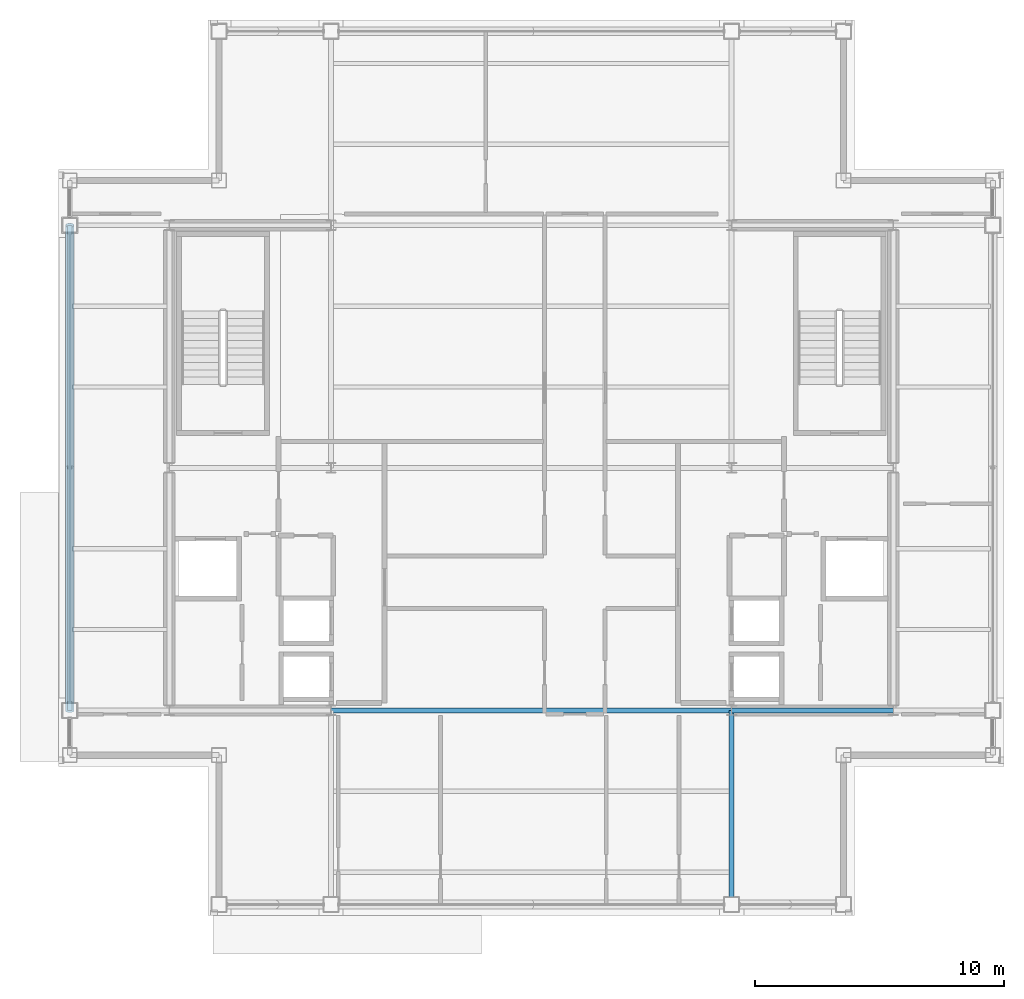
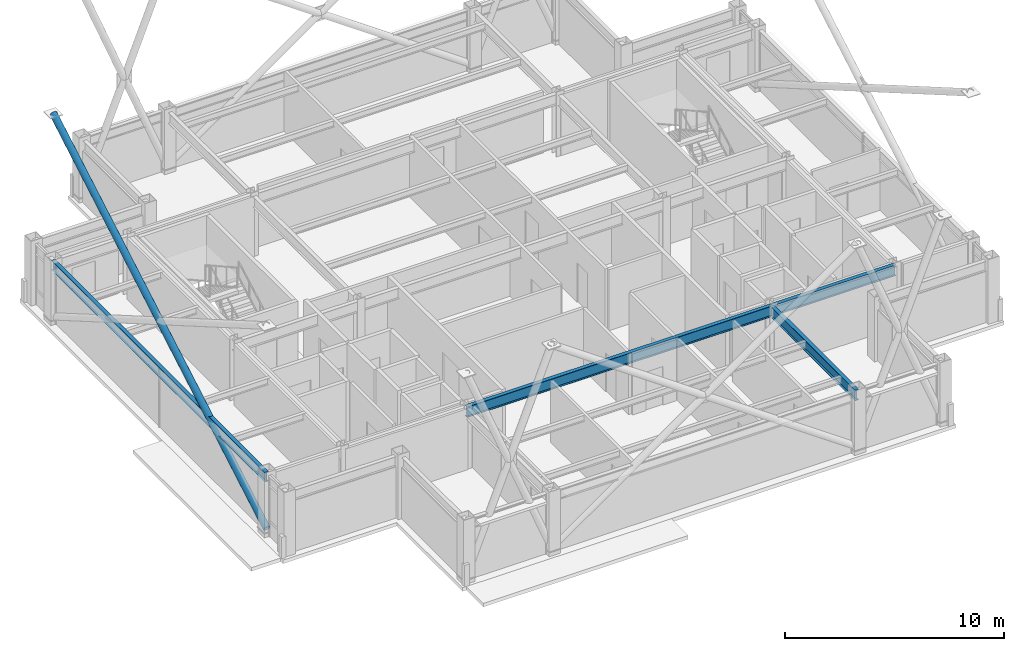
# One storey, part 7 of 24: 4 beams, 1 member.
"""IFC4 building model written with IfcOpenShell, lengths in metres."""

from ifc_helpers import new_model, si_unit, direction, frame, origin, origin_2d, place, context, subcontext, project, spatial, hollow_circle, i_section, extrude, material, material_profile, profile_set, type_object, element, save


model = new_model("IFC4")

# Units and contexts
model_context = context("Model", 3, precision=1e-05, world=origin(), true_north=direction((0.0, 1.0)))
body_context = subcontext(model_context, "Body", "Model", "MODEL_VIEW")
ifc_project = project(units=[si_unit("LENGTHUNIT", "METRE"), si_unit("AREAUNIT", "SQUARE_METRE"), si_unit("VOLUMEUNIT", "CUBIC_METRE"), si_unit("PLANEANGLEUNIT", "RADIAN"), si_unit("MASSUNIT", "GRAM", prefix="KILO")], contexts=[model_context])

# Site, building, storey
site_placement = place(None, origin())
site = spatial("IfcSite", under=ifc_project, at=site_placement, CompositionType="ELEMENT")
building_placement = place(site_placement, origin())
building = spatial("IfcBuilding", under=site, at=building_placement, Name="Brelmoor Portico Tower", CompositionType="ELEMENT")
storey_placement = place(building_placement, frame((0.0, 0.0, 268.800048828125)))
storey = spatial("IfcBuildingStorey", under=building, at=storey_placement, Name="L71", CompositionType="ELEMENT", Elevation=268.800048828125)

# Beams
ifc_material = material(Name="Steel Q355B", Category="steel")
ifc_material_profile_1 = material_profile(ifc_material, i_section(OverallWidth=0.199951171875, OverallDepth=0.60009765625, WebThickness=0.010986328125, FlangeThickness=0.01708984375, at=origin_2d()), Name="HN 600x200x11x17")
ifc_profile_set_1 = profile_set([ifc_material_profile_1], Name="Steel Q355B")
beam_type_1 = type_object("IfcBeamType", Name="BM-PG-600", PredefinedType="BEAM", material=ifc_profile_set_1)
beam_1_placement = place(storey_placement, frame((8.050048828125, -17.550048828125, 3.099853515625), z_axis=(0.0, 1.0, 0.0), x_axis=(-1.0, 0.0, 0.0)))
element("IfcBeam", 1, at=beam_1_placement, inside=storey, type_object=beam_type_1, Name="L71 Primary Floor Girder PG-06", PredefinedType="BEAM", context=body_context, shape_type="SweptSolid", body=[
    extrude(i_section(OverallWidth=0.199951171875, OverallDepth=0.60009765625, WebThickness=0.010986328125, FlangeThickness=0.01708984375, at=origin_2d()), origin(), (0.0, 0.0, 1.0), 7.800048828125),
])
beam_2_placement = place(storey_placement, frame((-8.050048828125, -9.75, 3.099853515625), z_axis=(1.0, 0.0, 0.0), x_axis=(0.0, 1.0, 0.0)))
element("IfcBeam", 2, at=beam_2_placement, inside=storey, type_object=beam_type_1, Name="L71 Primary Floor Girder PG-13", PredefinedType="BEAM", context=body_context, shape_type="SweptSolid", body=[
    extrude(i_section(OverallWidth=0.199951171875, OverallDepth=0.60009765625, WebThickness=0.010986328125, FlangeThickness=0.01708984375, at=origin_2d()), origin(), (0.0, 0.0, 1.0), 16.10009765625),
])
beam_3_placement = place(storey_placement, frame((8.050048828125, -9.75, 3.099853515625), z_axis=(1.0, 0.0, 0.0), x_axis=(0.0, 1.0, 0.0)))
element("IfcBeam", 3, at=beam_3_placement, inside=storey, type_object=beam_type_1, Name="L71 Primary Floor Girder PG-14", PredefinedType="BEAM", context=body_context, shape_type="SweptSolid", body=[
    extrude(i_section(OverallWidth=0.199951171875, OverallDepth=0.60009765625, WebThickness=0.010986328125, FlangeThickness=0.01708984375, at=origin_2d()), origin(), (0.0, 0.0, 1.0), 6.5),
])
ifc_material_profile_2 = material_profile(ifc_material, i_section(OverallWidth=0.199951171875, OverallDepth=0.550048828125, WebThickness=0.010009765625, FlangeThickness=0.01611328125, at=origin_2d()), Name="HN 550x200x10x16")
ifc_profile_set_2 = profile_set([ifc_material_profile_2], Name="Steel Q355B")
beam_type_2 = type_object("IfcBeamType", Name="BM-SP-550", PredefinedType="SPANDREL", material=ifc_profile_set_2)
beam_4_placement = place(storey_placement, frame((-18.550048828125, -9.75, 3.125), z_axis=(0.0, 1.0, 0.0), x_axis=(-1.0, 0.0, 0.0)))
element("IfcBeam", 4, at=beam_4_placement, inside=storey, type_object=beam_type_2, Name="L71 Perimeter Spandrel Beam SP-12", PredefinedType="SPANDREL", context=body_context, shape_type="SweptSolid", body=[
    extrude(i_section(OverallWidth=0.199951171875, OverallDepth=0.550048828125, WebThickness=0.010009765625, FlangeThickness=0.01611328125, at=origin_2d()), origin(), (0.0, 0.0, 1.0), 19.5),
])

# Member
ifc_material_profile_3 = material_profile(ifc_material, hollow_circle(Radius=0.177978515625, WallThickness=0.01611328125, at=origin_2d()), Name="CHS 356x16")
ifc_profile_set_3 = profile_set([ifc_material_profile_3], Name="Steel Q355B")
member_type = type_object("IfcMemberType", Name="MB-BELT-DIAG2", PredefinedType="BRACE", material=ifc_profile_set_3)
member_placement = place(storey_placement, frame((-18.550048828125, -9.75, 0.25), z_axis=(0.0, 0.865222754214, 0.501387659991), x_axis=(-1.0, 0.0, 0.0)))
element("IfcMember", 5, at=member_placement, inside=storey, type_object=member_type, Name="L71 Continuous Mega-X Brace 161A", PredefinedType="BRACE", context=body_context, shape_type="SweptSolid", body=[
    extrude(hollow_circle(Radius=0.177978515625, WallThickness=0.01611328125, at=origin_2d()), origin(), (0.0, 0.0, 1.0), 22.53759765625),
])

save(model, "model.ifc")
